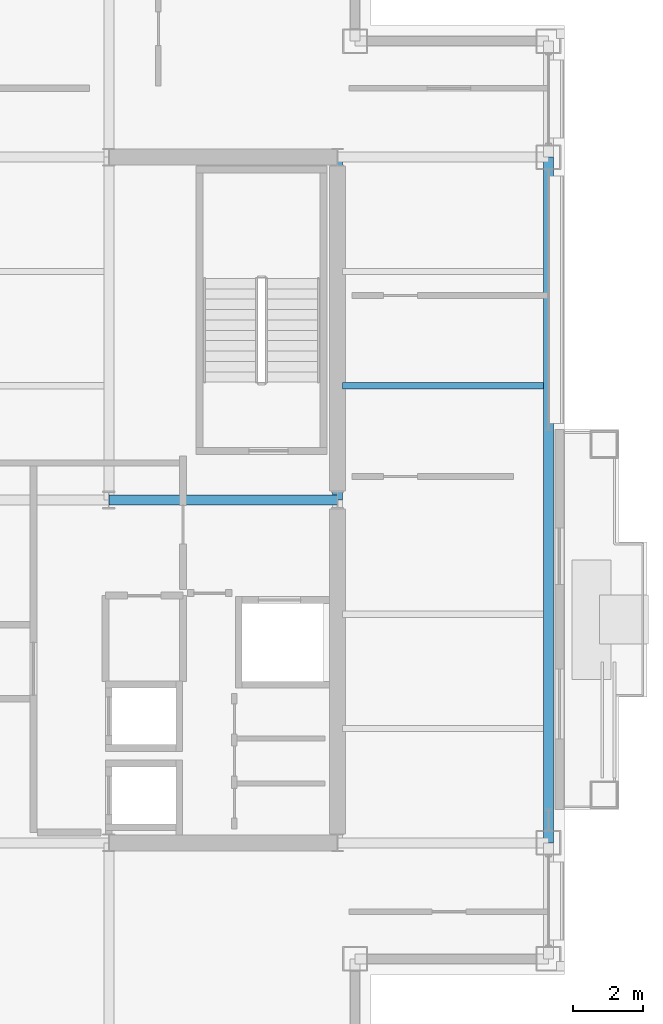
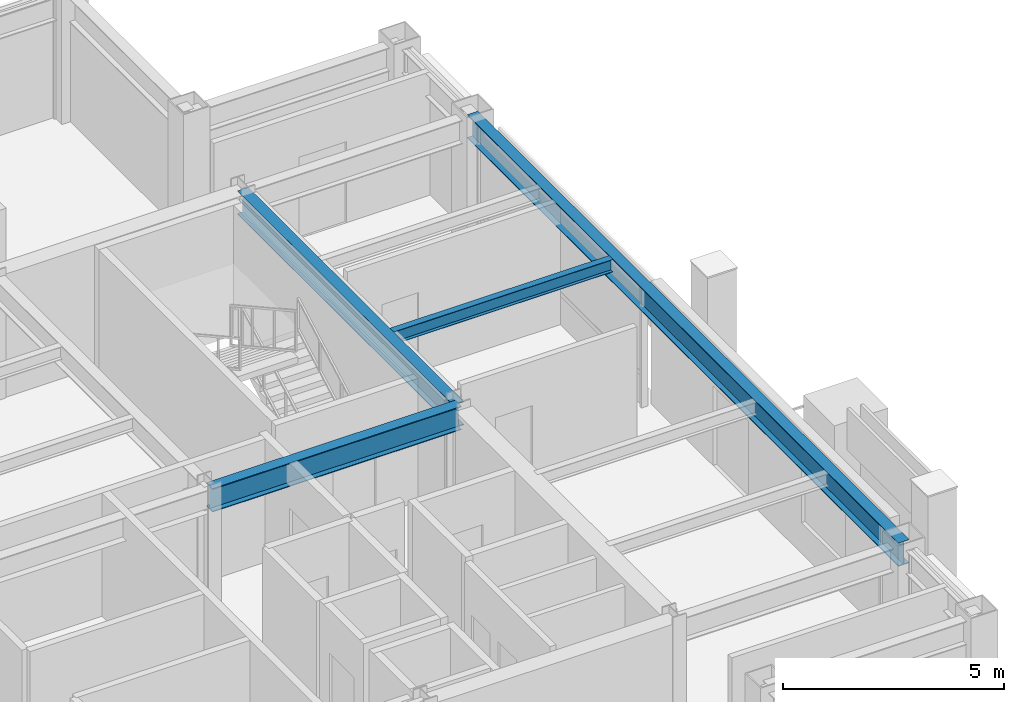
# One storey, part 15 of 30: 4 beams.
"""IFC4 building model written with IfcOpenShell, lengths in metres."""

from ifc_helpers import new_model, si_unit, direction, frame, origin, origin_2d, place, context, subcontext, project, spatial, i_section, extrude, material, material_profile, profile_set, type_object, element, save


model = new_model("IFC4")

# Units and contexts
model_context = context("Model", 3, precision=1e-05, world=origin(), true_north=direction((0.0, 1.0)))
body_context = subcontext(model_context, "Body", "Model", "MODEL_VIEW")
ifc_project = project(units=[si_unit("LENGTHUNIT", "METRE"), si_unit("AREAUNIT", "SQUARE_METRE"), si_unit("VOLUMEUNIT", "CUBIC_METRE"), si_unit("PLANEANGLEUNIT", "RADIAN"), si_unit("MASSUNIT", "GRAM", prefix="KILO")], contexts=[model_context])

# Site, building, storey
site_placement = place(None, origin())
site = spatial("IfcSite", under=ifc_project, at=site_placement, CompositionType="ELEMENT")
building_placement = place(site_placement, origin())
building = spatial("IfcBuilding", under=site, at=building_placement, Name="Brelmoor Portico Tower", CompositionType="ELEMENT")
storey_placement = place(building_placement, frame((0.0, 0.0, 198.300048828125)))
storey = spatial("IfcBuildingStorey", under=building, at=storey_placement, Name="L52", CompositionType="ELEMENT", Elevation=198.300048828125)

# Beams
ifc_material = material(Name="Steel Q355B", Category="steel")
ifc_material_profile_1 = material_profile(ifc_material, i_section(OverallWidth=0.175048828125, OverallDepth=0.35009765625, WebThickness=0.007080078125, FlangeThickness=0.010986328125, at=origin_2d()), Name="HN 350x175x7x11")
ifc_profile_set_1 = profile_set([ifc_material_profile_1], Name="Steel Q355B")
beam_type_1 = type_object("IfcBeamType", Name="BM-JS-350", PredefinedType="JOIST", material=ifc_profile_set_1)
beam_1_placement = place(storey_placement, frame((14.68994140625, 3.25, 3.224853515625), z_axis=(1.0, 0.0, 0.0), x_axis=(0.0, 1.0, 0.0)))
element("IfcBeam", 1, at=beam_1_placement, inside=storey, type_object=beam_type_1, Name="L52 Secondary Wing Joist JS-E11", PredefinedType="JOIST", context=body_context, shape_type="SweptSolid", body=[
    extrude(i_section(OverallWidth=0.175048828125, OverallDepth=0.35009765625, WebThickness=0.007080078125, FlangeThickness=0.010986328125, at=origin_2d()), origin(), (0.0, 0.0, 1.0), 5.719970703125),
])
ifc_material_profile_2 = material_profile(ifc_material, i_section(OverallWidth=0.280029296875, OverallDepth=0.64990234375, WebThickness=0.012939453125, FlangeThickness=0.02197265625, at=origin_2d()), Name="HN 650x280x13x22")
ifc_profile_set_2 = profile_set([ifc_material_profile_2], Name="Steel Q355B")
beam_type_2 = type_object("IfcBeamType", Name="BM-PG-650", PredefinedType="BEAM", material=ifc_profile_set_2)
beam_2_placement = place(storey_placement, frame((14.550048828125, 0.0, 3.074951171875), z_axis=(0.0, 1.0, 0.0), x_axis=(-1.0, 0.0, 0.0)))
element("IfcBeam", 2, at=beam_2_placement, inside=storey, type_object=beam_type_2, Name="L52 Primary Floor Girder PG-10", PredefinedType="BEAM", context=body_context, shape_type="SweptSolid", body=[
    extrude(i_section(OverallWidth=0.280029296875, OverallDepth=0.64990234375, WebThickness=0.012939453125, FlangeThickness=0.02197265625, at=origin_2d()), origin(), (0.0, 0.0, 1.0), 9.75),
])
beam_3_placement = place(storey_placement, frame((8.050048828125, 0.0, 3.074951171875), z_axis=(1.0, 0.0, 0.0), x_axis=(0.0, 1.0, 0.0)))
element("IfcBeam", 3, at=beam_3_placement, inside=storey, type_object=beam_type_2, Name="L52 Primary Floor Girder PG-18", PredefinedType="BEAM", context=body_context, shape_type="SweptSolid", body=[
    extrude(i_section(OverallWidth=0.280029296875, OverallDepth=0.64990234375, WebThickness=0.012939453125, FlangeThickness=0.02197265625, at=origin_2d()), origin(), (0.0, 0.0, 1.0), 6.5),
])
ifc_material_profile_3 = material_profile(ifc_material, i_section(OverallWidth=0.280029296875, OverallDepth=0.64990234375, WebThickness=0.012939453125, FlangeThickness=0.02197265625, at=origin_2d()), Name="HN 650x280x13x22")
ifc_profile_set_3 = profile_set([ifc_material_profile_3], Name="Steel Q355B")
beam_type_3 = type_object("IfcBeamType", Name="BM-SP-650", PredefinedType="SPANDREL", material=ifc_profile_set_3)
beam_4_placement = place(storey_placement, frame((20.550048828125, -9.75, 3.074951171875), z_axis=(0.0, 1.0, 0.0), x_axis=(-1.0, 0.0, 0.0)))
element("IfcBeam", 4, at=beam_4_placement, inside=storey, type_object=beam_type_3, Name="L52 Perimeter Spandrel Beam SP-19", PredefinedType="SPANDREL", context=body_context, shape_type="SweptSolid", body=[
    extrude(i_section(OverallWidth=0.280029296875, OverallDepth=0.64990234375, WebThickness=0.012939453125, FlangeThickness=0.02197265625, at=origin_2d()), origin(), (0.0, 0.0, 1.0), 19.5),
])

save(model, "model.ifc")
